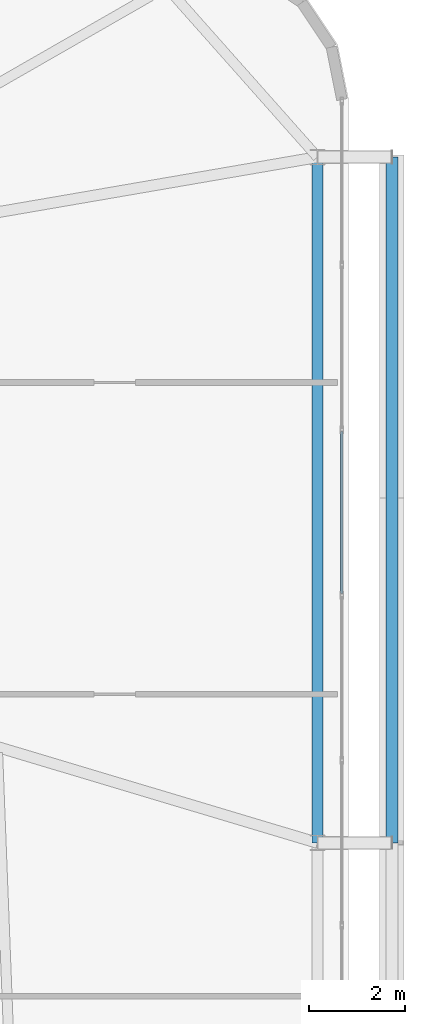
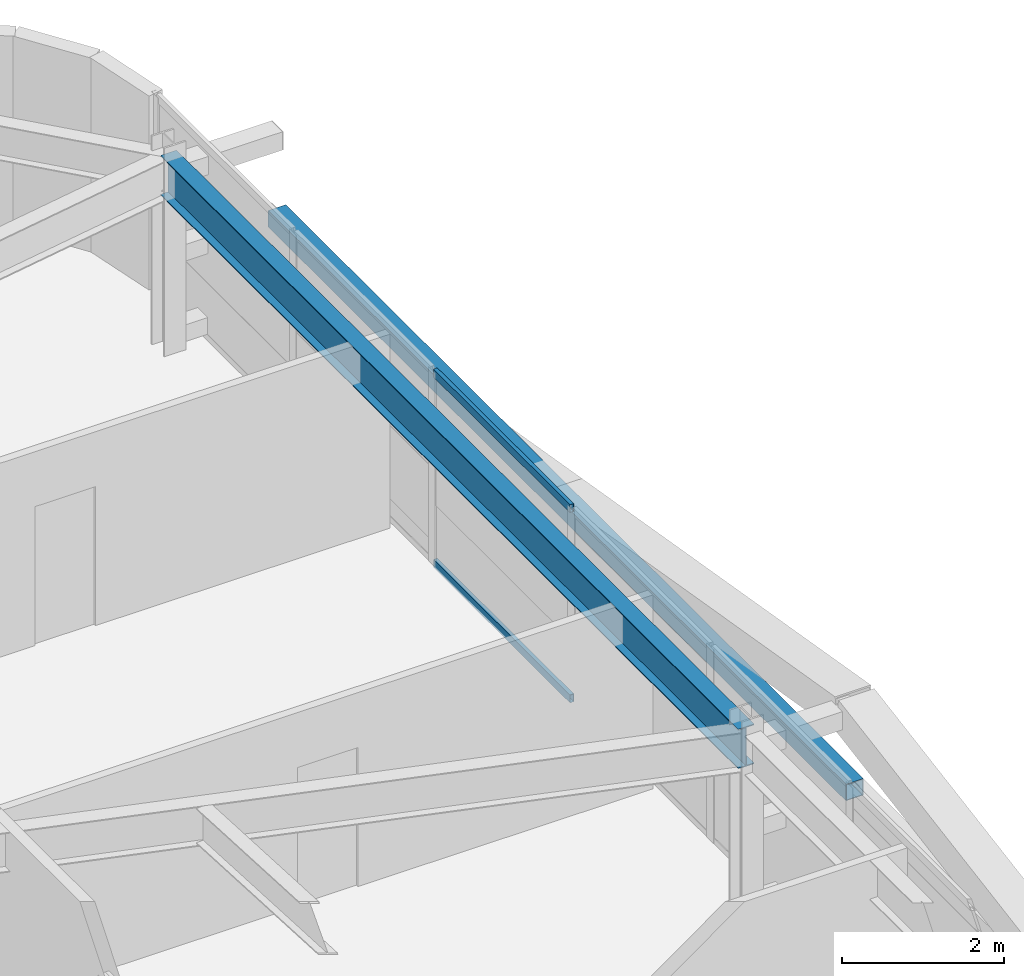
# One storey, part 31 of 59: 3 members, 1 beam, 1 element without a shape of its own.
"""IFC4 building model written with IfcOpenShell, lengths in metres."""

from ifc_helpers import new_model, si_unit, direction, frame, origin, origin_2d, place, context, subcontext, project, spatial, hollow_rectangle, i_section, extrude, source, transform, mapped, material, layer, layer_set, material_profile, profile_set, type_object, element, aggregate, save


model = new_model("IFC4")

# Units and contexts
model_context = context("Model", 3, precision=1e-05, world=origin(), true_north=direction((0.0, 1.0)))
body_context = subcontext(model_context, "Body", "Model", "MODEL_VIEW")
ifc_project = project(units=[si_unit("LENGTHUNIT", "METRE"), si_unit("AREAUNIT", "SQUARE_METRE"), si_unit("VOLUMEUNIT", "CUBIC_METRE"), si_unit("PLANEANGLEUNIT", "RADIAN"), si_unit("MASSUNIT", "GRAM", prefix="KILO")], contexts=[model_context])

# Site, building, storey
site_placement = place(None, origin())
site = spatial("IfcSite", under=ifc_project, at=site_placement, CompositionType="ELEMENT")
building_placement = place(site_placement, origin())
building = spatial("IfcBuilding", under=site, at=building_placement, Name="Taldren Reach Tower", CompositionType="ELEMENT")
storey_placement = place(building_placement, frame((0.0, 0.0, 48.300048828125)))
storey = spatial("IfcBuildingStorey", under=building, at=storey_placement, Name="L14", CompositionType="ELEMENT", Elevation=48.300048828125)

# Beam
ifc_material_1 = material(Name="Steel Gr 350 (350PLUS)", Category="steel")
ifc_material_profile_1 = material_profile(ifc_material_1, i_section(OverallWidth=0.22802734375, OverallDepth=0.60205078125, WebThickness=0.010498046875, FlangeThickness=0.014892578125, at=origin_2d()), Name="610UB101")
ifc_profile_set_1 = profile_set([ifc_material_profile_1], Name="Steel Gr 350 (350PLUS)")
beam_type = type_object("IfcBeamType", Name="BM-UB610B", PredefinedType="BEAM", material=ifc_profile_set_1)
shared_shape_1 = source(origin(), body_context, "Body", "SweptSolid", [
    extrude(i_section(OverallWidth=0.22802734375, OverallDepth=0.60205078125, WebThickness=0.010498046875, FlangeThickness=0.014892578125, at=origin_2d()), origin(), (0.0, 0.0, 1.0), 14.300048828125),
])
beam_placement = place(storey_placement, frame((64.35009765625, 20.0, 2.62890625), z_axis=(0.0, 1.0, 0.0), x_axis=(-1.0, 0.0, 0.0)))
element("IfcBeam", 1, at=beam_placement, inside=storey, type_object=beam_type, Name="Perimeter gable girder B1 E2-E3 L14", PredefinedType="BEAM", context=body_context, shape_type="MappedRepresentation", body=[
    mapped(shared_shape_1, transform((0.0, 0.0, 0.0), scale=1.0)),
])

# Member
ifc_material_2 = material(Name="Steel Gr 350 (C350L0)", Category="steel")
ifc_material_profile_2 = material_profile(ifc_material_2, hollow_rectangle(XDim=0.25, YDim=0.25, WallThickness=0.010009765625, at=origin_2d()), Name="250x250x10.0SHS")
ifc_profile_set_2 = profile_set([ifc_material_profile_2], Name="Steel Gr 350 (C350L0)")
member_type_1 = type_object("IfcMemberType", Name="MB-POST250", PredefinedType="POST", material=ifc_profile_set_2)
shared_shape_2 = source(origin(), body_context, "Body", "SweptSolid", [
    extrude(hollow_rectangle(XDim=0.25, YDim=0.25, WallThickness=0.010009765625, at=origin_2d()), origin(), (0.0, 0.0, 1.0), 14.300048828125),
])
member_1_placement = place(storey_placement, frame((65.89990234375, 20.0, 1.43505859375), z_axis=(0.0, 1.0, 0.0), x_axis=(-1.0, 0.0, 0.0)))
element("IfcMember", 2, at=member_1_placement, inside=storey, type_object=member_type_1, Name="Exoskeleton mid-height ring chord B1-E2 L14", PredefinedType="POST", context=body_context, shape_type="MappedRepresentation", body=[
    mapped(shared_shape_2, transform((0.0, 0.0, 0.0), scale=1.0)),
])

# Curtain wall, members
ifc_material_3 = material(Name="Aluminium and Low-E Glass Unitised System", Category="aluminium")
ifc_layer = layer(ifc_material_3, 0.159912109375)
ifc_layer_set = layer_set([ifc_layer], Name="Aluminium and Low-E Glass Unitised System")
curtain_wall_type = type_object("IfcCurtainWallType", Name="CW-SYS-2", PredefinedType="NOTDEFINED", material=ifc_layer_set)
curtain_wall_placement = place(storey_placement, origin())
curtain_wall = element("IfcCurtainWall", 3, at=curtain_wall_placement, inside=storey, type_object=curtain_wall_type, Name="Unitised curtain wall CW-L14-E", PredefinedType="NOTDEFINED")
ifc_material_4 = material(Name="Anodised Aluminium 6063-T6", Category="aluminium")
ifc_material_profile_3 = material_profile(ifc_material_4, hollow_rectangle(XDim=0.054931640625, YDim=0.1201171875, WallThickness=0.0029296875, at=origin_2d()), Name="ALU-120x55x3RHS")
ifc_profile_set_3 = profile_set([ifc_material_profile_3], Name="Anodised Aluminium 6063-T6")
member_type_2 = type_object("IfcMemberType", Name="CW-TRN-135", PredefinedType="USERDEFINED", material=ifc_profile_set_3)
shared_shape_3 = source(origin(), body_context, "Body", "SweptSolid", [
    extrude(hollow_rectangle(XDim=0.054931640625, YDim=0.1201171875, WallThickness=0.0029296875, at=origin_2d()), origin(), (0.0, 0.0, 1.0), 3.37939453125),
])
member_2_placement = place(storey_placement, frame((64.860107421875, 25.19921875, 0.02734375), z_axis=(0.0, 1.0, 0.0), x_axis=(-1.0, 0.0, 0.0)))
member_2 = element("IfcMember", 4, at=member_2_placement, type_object=member_type_2, Name="CW-2 transom 7.1", ObjectType="TRANSOM", PredefinedType="USERDEFINED", context=body_context, shape_type="MappedRepresentation", body=[
    mapped(shared_shape_3, transform((0.0, 0.0, 0.0), scale=1.0)),
])
member_3_placement = place(storey_placement, frame((64.860107421875, 25.19921875, 2.90234375), z_axis=(0.0, 1.0, 0.0), x_axis=(-1.0, 0.0, 0.0)))
member_3 = element("IfcMember", 5, at=member_3_placement, type_object=member_type_2, Name="CW-2 transom 7.2", ObjectType="TRANSOM", PredefinedType="USERDEFINED", context=body_context, shape_type="MappedRepresentation", body=[
    mapped(shared_shape_3, transform((0.0, 0.0, 0.0), scale=1.0)),
])
aggregate(curtain_wall, [member_2, member_3])

save(model, "model.ifc")
